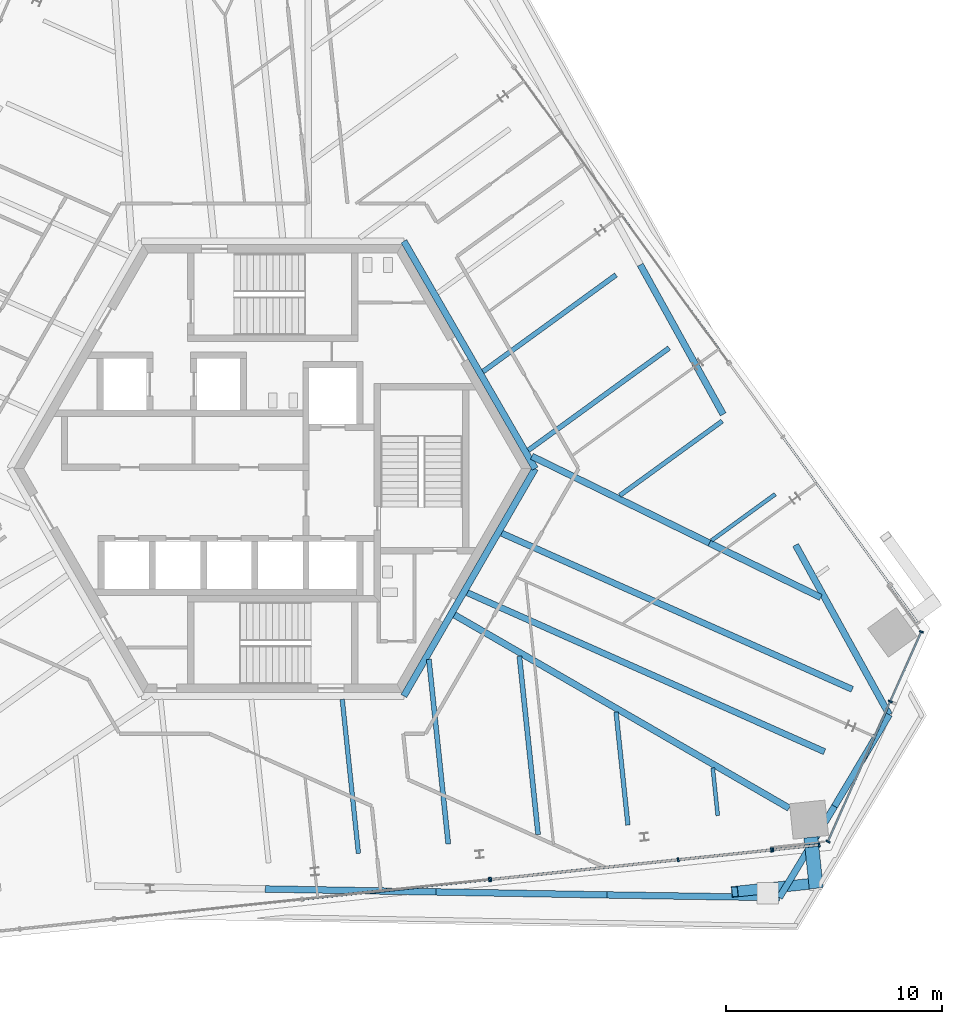
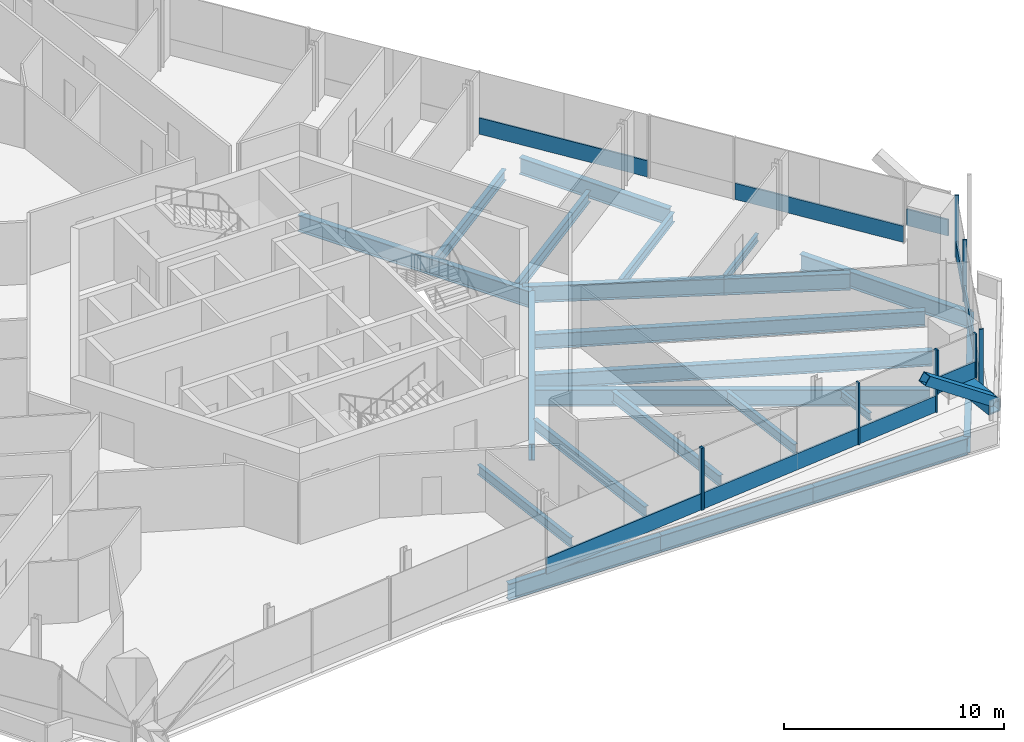
# One storey, part 6 of 21: 23 beams, 20 members, 7 elements without a shape of their own.
"""IFC4 building model written with IfcOpenShell, lengths in metres."""

import ifcopenshell
import ifcopenshell.guid

model = None  # the IFC model being written
_history = None  # IfcOwnerHistory: only IFC2X3 demands one
_inside = {}  # id of a spatial element -> (the spatial element, [elements in it])
_under = {}  # id of a project, library or spatial element -> (it, [spatial elements below it])
_declared = {}  # id of a project -> (the project, [libraries it declares])
_typed = {}  # id of a type object -> (the type object, [elements of that type])
_made_of = {}  # id of a material, layer set ... -> (it, [elements and type objects made of it])


def new_model(schema):
    """Start an empty IFC model of exactly this schema.

    Asked for "IFC4X3", IfcOpenShell would pick the latest addendum, in which some entities
    have other attributes; the version numbers below select the first issue.
    IFC2X3 requires an IfcOwnerHistory on every rooted entity: one is made here for all.
    """
    global model, _history
    if schema == "IFC4X3":
        model = ifcopenshell.file(schema_version=(4, 3, 0, 0))
    else:
        model = ifcopenshell.file(schema=schema)
    _inside.clear()
    _under.clear()
    _declared.clear()
    _typed.clear()
    _made_of.clear()
    _history = None
    if model.schema == "IFC2X3":
        org = make("IfcOrganization", Name="unknown")
        user = make(
            "IfcPersonAndOrganization",
            ThePerson=make("IfcPerson", FamilyName="unknown"),
            TheOrganization=org,
        )
        app = make(
            "IfcApplication",
            ApplicationDeveloper=org,
            Version="unknown",
            ApplicationFullName="unknown",
            ApplicationIdentifier="unknown",
        )
        _history = make(
            "IfcOwnerHistory",
            OwningUser=user,
            OwningApplication=app,
            ChangeAction="ADDED",
            CreationDate=0,
        )
    return model


def make(cls, **values):
    """One entity of the class cls with the attributes given. An attribute that is None is left unset."""
    return model.create_entity(
        cls, **{name: value for name, value in values.items() if value is not None}
    )


def rooted(cls, **values):
    """An entity with a GlobalId (a new one), such as an element, a storey or a relation."""
    return make(cls, GlobalId=ifcopenshell.guid.new(), OwnerHistory=_history, **values)


def si_unit(unit_type, name, prefix=None):
    """IfcSIUnit, for example si_unit("LENGTHUNIT", "METRE", prefix="MILLI")."""
    return make("IfcSIUnit", UnitType=unit_type, Prefix=prefix, Name=name)


def assignment(units):
    """IfcUnitAssignment: the units of a project."""
    return None if units is None else make("IfcUnitAssignment", Units=units)


def point(xyz):
    """IfcCartesianPoint."""
    return None if xyz is None else make("IfcCartesianPoint", Coordinates=xyz)


def direction(xyz):
    """IfcDirection."""
    return None if xyz is None else make("IfcDirection", DirectionRatios=xyz)


def frame(location, z_axis=None, x_axis=None):
    """IfcAxis2Placement3D, a coordinate frame: its origin and axes. An axis left out is left unset."""
    return make(
        "IfcAxis2Placement3D",
        Location=point(location),
        Axis=direction(z_axis),
        RefDirection=direction(x_axis),
    )


def frame_2d(location, x_axis=None):
    """IfcAxis2Placement2D, a coordinate frame in the plane: its origin and x axis."""
    return make(
        "IfcAxis2Placement2D", Location=point(location), RefDirection=direction(x_axis)
    )


def origin():
    """The frame at (0, 0, 0) with its axes left unset."""
    return frame((0.0, 0.0, 0.0))


def origin_2d():
    """The frame at (0, 0) in the plane with its x axis left unset."""
    return frame_2d((0.0, 0.0))


def place(relative_to, where):
    """IfcLocalPlacement: puts the frame where relative to a parent placement (None: the world)."""
    return make(
        "IfcLocalPlacement", PlacementRelTo=relative_to, RelativePlacement=where
    )


def context(
    kind, dimensions, precision=None, world=None, true_north=None, identifier=None
):
    """IfcGeometricRepresentationContext, for example the 3D "Model" context."""
    return make(
        "IfcGeometricRepresentationContext",
        ContextIdentifier=identifier,
        ContextType=kind,
        CoordinateSpaceDimension=dimensions,
        Precision=precision,
        WorldCoordinateSystem=world,
        TrueNorth=true_north,
    )


def subcontext(parent, identifier, kind, view, scale=None):
    """IfcGeometricRepresentationSubContext, for example "Body" below "Model"."""
    return make(
        "IfcGeometricRepresentationSubContext",
        ContextIdentifier=identifier,
        ContextType=kind,
        ParentContext=parent,
        TargetScale=scale,
        TargetView=view,
    )


def project(units=None, contexts=None):
    """IfcProject with its units and contexts."""
    return rooted(
        "IfcProject",
        Name="project",
        RepresentationContexts=contexts,
        UnitsInContext=assignment(units),
    )


def spatial(cls, under=None, at=None, **own):
    """A site, building, storey or space (cls), placed at a placement, below another one or the project."""
    s = rooted(cls, ObjectPlacement=at, **own)
    if under is not None:
        _under.setdefault(under.id(), (under, []))[1].append(s)
    return s


def profile(cls, at=None, kind="AREA", **sizes):
    """A parametric profile (cls). Its sizes go by their IFC names, for example OverallWidth=200.0."""
    return make(cls, ProfileType=kind, Position=at, **sizes)


def rectangle(**sizes):
    """IfcRectangleProfileDef."""
    return profile("IfcRectangleProfileDef", **sizes)


def hollow_rectangle(**sizes):
    """IfcRectangleHollowProfileDef."""
    return profile("IfcRectangleHollowProfileDef", **sizes)


def i_section(**sizes):
    """IfcIShapeProfileDef."""
    return profile("IfcIShapeProfileDef", **sizes)


def extrude(swept, where, along, depth):
    """IfcExtrudedAreaSolid: the profile swept, set in the frame where, extruded along a direction by depth."""
    return make(
        "IfcExtrudedAreaSolid",
        SweptArea=swept,
        Position=where,
        ExtrudedDirection=direction(along),
        Depth=depth,
    )


def shape(context_of_items, identifier, shape_type, items):
    """IfcShapeRepresentation: the items that make up one representation, for example the "Body"."""
    return make(
        "IfcShapeRepresentation",
        ContextOfItems=context_of_items,
        RepresentationIdentifier=identifier,
        RepresentationType=shape_type,
        Items=items,
    )


def source(mapping_origin, context_of_items, identifier, shape_type, items):
    """IfcRepresentationMap: a shape defined once, which mapped items show again and again."""
    return make(
        "IfcRepresentationMap",
        MappingOrigin=mapping_origin,
        MappedRepresentation=shape(context_of_items, identifier, shape_type, items),
    )


def transform(
    local_origin,
    x_axis=None,
    y_axis=None,
    z_axis=None,
    scale=None,
    scale2=None,
    scale3=None,
    uniform=True,
):
    """IfcCartesianTransformationOperator3D, or its non-uniform kind. x_axis, y_axis, z_axis: its Axis1, 2, 3."""
    if uniform:
        return make(
            "IfcCartesianTransformationOperator3D",
            Axis1=direction(x_axis),
            Axis2=direction(y_axis),
            LocalOrigin=point(local_origin),
            Scale=scale,
            Axis3=direction(z_axis),
        )
    return make(
        "IfcCartesianTransformationOperator3DnonUniform",
        Axis1=direction(x_axis),
        Axis2=direction(y_axis),
        LocalOrigin=point(local_origin),
        Scale=scale,
        Axis3=direction(z_axis),
        Scale2=scale2,
        Scale3=scale3,
    )


def mapped(mapping_source, mapping_target):
    """IfcMappedItem: shows the shape of a source again, moved by a transform."""
    return make(
        "IfcMappedItem", MappingSource=mapping_source, MappingTarget=mapping_target
    )


def material(Name=None, Category=None):
    """IfcMaterial."""
    return make("IfcMaterial", Name=Name, Category=Category)


def material_profile(
    of_material, cross_section, Name=None, Category=None, Priority=None
):
    """IfcMaterialProfile: a cross section and its material."""
    return make(
        "IfcMaterialProfile",
        Name=Name,
        Material=of_material,
        Profile=cross_section,
        Priority=Priority,
        Category=Category,
    )


def profile_set(profiles, Name=None, composite=None):
    """IfcMaterialProfileSet."""
    return make(
        "IfcMaterialProfileSet",
        Name=Name,
        MaterialProfiles=profiles,
        CompositeProfile=composite,
    )


def made_of(thing, what):
    """Note that an element or type object is made of a material, layer set ...; save() writes the relation."""
    if what is not None:
        _made_of.setdefault(what.id(), (what, []))[1].append(thing)
    return thing


def type_object(cls, material=None, **own):
    """A type object (cls), such as IfcWallType, which elements share."""
    return made_of(rooted(cls, **own), material)


def element(
    cls,
    number,
    at=None,
    inside=None,
    cuts=None,
    type_object=None,
    material=None,
    context=None,
    identifier="Body",
    shape_type=None,
    held_by="IfcProductDefinitionShape",
    body=None,
    shapes=None,
    **own,
):
    """One element of the class cls, such as IfcWall. Its Tag is "e" and its number.

    at: its placement. inside: the storey or other place that contains it. cuts: it is an
    opening in that element (IfcRelVoidsElement). A single representation is given by context,
    identifier, shape_type and body (its items); several are given by shapes. held_by: the class
    of the entity that holds the representations. save() writes the other relations.
    """
    e = rooted(cls, Tag="e%d" % number, ObjectPlacement=at, **own)
    if body is not None:
        shapes = [shape(context, identifier, shape_type, body)]
    if shapes is not None:
        e.Representation = make(held_by, Representations=shapes)
    if inside is not None:
        _inside.setdefault(inside.id(), (inside, []))[1].append(e)
    if cuts is not None:
        rooted(
            "IfcRelVoidsElement", RelatingBuildingElement=cuts, RelatedOpeningElement=e
        )
    if type_object is not None:
        _typed.setdefault(type_object.id(), (type_object, []))[1].append(e)
    return made_of(e, material)


def aggregate(whole, parts):
    """IfcRelAggregates: a whole, such as a stair, and the parts it consists of."""
    return rooted("IfcRelAggregates", RelatingObject=whole, RelatedObjects=parts)


def save(model, path):
    """Write the relations noted so far, then the file.

    IfcRelAggregates (storeys below a building ...), IfcRelContainedInSpatialStructure (elements
    in a storey), IfcRelDefinesByType, IfcRelAssociatesMaterial and IfcRelDeclares: one each for
    every whole, place, type object, material and project.
    """
    for whole, parts in _under.values():
        aggregate(whole, parts)
    for where, things in _inside.values():
        rooted(
            "IfcRelContainedInSpatialStructure",
            RelatedElements=things,
            RelatingStructure=where,
        )
    for kind, things in _typed.values():
        rooted("IfcRelDefinesByType", RelatedObjects=things, RelatingType=kind)
    for what, things in _made_of.values():
        rooted("IfcRelAssociatesMaterial", RelatedObjects=things, RelatingMaterial=what)
    for by, libraries in _declared.values():
        rooted("IfcRelDeclares", RelatingContext=by, RelatedDefinitions=libraries)
    model.write(path)


model = new_model("IFC4")

# Units and contexts
model_context = context("Model", 3, precision=1e-05, world=origin(), true_north=direction((0.0, 1.0)))
body_context = subcontext(model_context, "Body", "Model", "MODEL_VIEW")
ifc_project = project(units=[si_unit("LENGTHUNIT", "METRE"), si_unit("AREAUNIT", "SQUARE_METRE"), si_unit("VOLUMEUNIT", "CUBIC_METRE"), si_unit("PLANEANGLEUNIT", "RADIAN"), si_unit("MASSUNIT", "GRAM", prefix="KILO")], contexts=[model_context])

# Site, building, storey
site_placement = place(None, origin())
site = spatial("IfcSite", under=ifc_project, at=site_placement, CompositionType="ELEMENT")
building_placement = place(site_placement, origin())
building = spatial("IfcBuilding", under=site, at=building_placement, Name="Triune Harvest Tower", CompositionType="ELEMENT")
storey_placement = place(building_placement, frame((0.0, 0.0, 219.699951171875)))
storey = spatial("IfcBuildingStorey", under=building, at=storey_placement, Name="L57", CompositionType="ELEMENT", Elevation=219.699951171875)

# Beams
ifc_material_1 = material(Name="Steel ASTM A992 Gr 50", Category="steel")
ifc_material_profile_1 = material_profile(ifc_material_1, i_section(OverallWidth=0.3046875, OverallDepth=0.914306640625, WebThickness=0.0166015625, FlangeThickness=0.02587890625, at=origin_2d()), Name="W36x160")
ifc_profile_set_1 = profile_set([ifc_material_profile_1], Name="Steel ASTM A992 Gr 50")
beam_type_1 = type_object("IfcBeamType", Name="HG-3 Hip girder W36x160", PredefinedType="BEAM", material=ifc_profile_set_1)
beam_1_placement = place(storey_placement, frame((25.420654296875, -5.972900390625, -0.6171875), z_axis=(-0.898511390497, 0.438950203493, 0.0), x_axis=(-0.438950203493, -0.898511390497, 0.0)))
element("IfcBeam", 1, at=beam_1_placement, inside=storey, type_object=beam_type_1, Name="beam/L57/HG1", PredefinedType="BEAM", context=body_context, shape_type="SweptSolid", body=[
    extrude(i_section(OverallWidth=0.3046875, OverallDepth=0.914306640625, WebThickness=0.0166015625, FlangeThickness=0.02587890625, at=origin_2d()), origin(), (0.0, 0.0, 1.0), 5.744873046875),
])
ifc_material_2 = material(Name="Steel ASTM A992 Gr 50", Category="steel")
ifc_material_profile_2 = material_profile(ifc_material_2, i_section(OverallWidth=0.3046875, OverallDepth=0.914306640625, WebThickness=0.0166015625, FlangeThickness=0.02587890625, at=origin_2d()), Name="W36x160")
ifc_profile_set_2 = profile_set([ifc_material_profile_2], Name="Steel ASTM A992 Gr 50")
beam_type_2 = type_object("IfcBeamType", Name="SB-1 Spandrel beam W36x160", PredefinedType="SPANDREL", material=ifc_profile_set_2)
beam_2_placement = place(storey_placement, frame((28.59521484375, -11.408935546875, -0.6171875), z_axis=(-0.483244659855, 0.875485350375, 0.0), x_axis=(-0.875485350375, -0.483244659855, 0.0)))
element("IfcBeam", 2, at=beam_2_placement, inside=storey, type_object=beam_type_2, Name="beam/L57/WB1", PredefinedType="SPANDREL", context=body_context, shape_type="SweptSolid", body=[
    extrude(i_section(OverallWidth=0.3046875, OverallDepth=0.914306640625, WebThickness=0.0166015625, FlangeThickness=0.02587890625, at=origin_2d()), origin(), (0.0, 0.0, 1.0), 8.9873046875),
])

# Curtain wall, member
ifc_material_3 = material(Name="Aluminium bronze anodised", Category="aluminium")
curtain_wall_type_1 = type_object("IfcCurtainWallType", Name="CW-7 Tower stick curtain wall with insulated spandrel infill", PredefinedType="NOTDEFINED", material=ifc_material_3)
curtain_wall_1_placement = place(storey_placement, origin())
curtain_wall_1 = element("IfcCurtainWall", 3, at=curtain_wall_1_placement, inside=storey, type_object=curtain_wall_type_1, Name="CW-7 B6-F1 L57 run 1")
ifc_material_4 = material(Name="Aluminium bronze anodised", Category="aluminium")
ifc_material_profile_3 = material_profile(ifc_material_4, rectangle(XDim=0.090087890625, YDim=0.89990234375, at=origin_2d()), Name="TR-1 transom 90 x 900")
ifc_profile_set_3 = profile_set([ifc_material_profile_3], Name="Aluminium bronze anodised")
member_type_1 = type_object("IfcMemberType", Name="TR-1 transom 90 x 900", PredefinedType="USERDEFINED", material=ifc_profile_set_3)
member_1_placement = place(storey_placement, frame((29.906982421875, -7.13134765625, 1.43505859375), z_axis=(-0.58778803029, 0.809014976034, 0.0), x_axis=(-0.809014976034, -0.58778803029, 0.0)))
member_1 = element("IfcMember", 4, at=member_1_placement, type_object=member_type_1, Name="CW-7 transom B6-F1 1.1", ObjectType="TRANSOM", PredefinedType="USERDEFINED", context=body_context, shape_type="SweptSolid", body=[
    extrude(rectangle(XDim=0.090087890625, YDim=0.89990234375, at=origin_2d()), origin(), (0.0, 0.0, 1.0), 2.081298828125),
])
aggregate(curtain_wall_1, [member_1])

# Beams
ifc_material_5 = material(Name="Steel ASTM A992 Gr 50", Category="steel")
ifc_material_profile_4 = material_profile(ifc_material_5, i_section(OverallWidth=0.3046875, OverallDepth=0.914306640625, WebThickness=0.0166015625, FlangeThickness=0.02587890625, at=origin_2d()), Name="W36x160")
ifc_profile_set_4 = profile_set([ifc_material_profile_4], Name="Steel ASTM A992 Gr 50")
beam_type_3 = type_object("IfcBeamType", Name="CG-1 Core ring girder W36x160", PredefinedType="BEAM", material=ifc_profile_set_4)
shared_shape_1 = source(origin(), body_context, "Body", "SweptSolid", [
    extrude(i_section(OverallWidth=0.3046875, OverallDepth=0.914306640625, WebThickness=0.0166015625, FlangeThickness=0.02587890625, at=origin_2d()), origin(), (0.0, 0.0, 1.0), 12.176025390625),
])
for number, where, z_axis, x_axis, name in (
    (5, (12.176025390625, 0.0, -0.6171875), (-0.5000099932, 0.866019634131, 0.0), (-0.866019634131, -0.5000099932, 0.0), "beam/L57/CG1"),
    (6, (6.087890625, -10.544677734375, -0.6171875), (0.5000099932, 0.866019634131, 0.0), (-0.866019634131, 0.5000099932, 0.0), "beam/L57/CG6"),
):
    element("IfcBeam", number, at=place(storey_placement, frame(where, z_axis=z_axis, x_axis=x_axis)), inside=storey, type_object=beam_type_3, Name=name, PredefinedType="BEAM", context=body_context, shape_type="MappedRepresentation", body=[
        mapped(shared_shape_1, transform((0.0, 0.0, 0.0), scale=1.0)),
    ])
shared_shape_2 = source(origin(), body_context, "Body", "SweptSolid", [
    extrude(i_section(OverallWidth=0.3046875, OverallDepth=0.914306640625, WebThickness=0.0166015625, FlangeThickness=0.02587890625, at=origin_2d()), origin(), (0.0, 0.0, 1.0), 7.92724609375),
])
for number, where, z_axis, x_axis, name in (
    (7, (20.893798828125, 2.51806640625, -0.6171875), (-0.484790236765, 0.874630451298, 0.0), (-0.874630451298, -0.484790236765, 0.0), "beam/L57/WB2"),
    (8, (-0.34033203125, -19.491943359375, -0.6171875), (0.999847522428, -0.017462299252, 0.0), (0.017462299252, 0.999847522428, 0.0), "beam/L57/WB17"),
    (9, (7.585693359375, -19.63037109375, -0.6171875), (0.999847522428, -0.017462299252, 0.0), (0.017462299252, 0.999847522428, 0.0), "beam/L57/WB18"),
):
    element("IfcBeam", number, at=place(storey_placement, frame(where, z_axis=z_axis, x_axis=x_axis)), inside=storey, type_object=beam_type_2, Name=name, PredefinedType="SPANDREL", context=body_context, shape_type="MappedRepresentation", body=[
        mapped(shared_shape_2, transform((0.0, 0.0, 0.0), scale=1.0)),
    ])
shared_shape_3 = source(origin(), body_context, "Body", "SweptSolid", [
    extrude(i_section(OverallWidth=0.3046875, OverallDepth=0.914306640625, WebThickness=0.0166015625, FlangeThickness=0.02587890625, at=origin_2d()), origin(), (0.0, 0.0, 1.0), 7.9873046875),
])
beam_3_placement = place(storey_placement, frame((15.51171875, -19.768798828125, -0.6171875), z_axis=(0.999880859081, -0.015435920575, 0.0), x_axis=(0.015435920575, 0.999880859081, 0.0)))
element("IfcBeam", 10, at=beam_3_placement, inside=storey, type_object=beam_type_2, Name="beam/L57/WB19", PredefinedType="SPANDREL", context=body_context, shape_type="MappedRepresentation", body=[
    mapped(shared_shape_3, transform((0.0, 0.0, 0.0), scale=1.0)),
])
shared_shape_4 = source(origin(), body_context, "Body", "SweptSolid", [
    extrude(i_section(OverallWidth=0.3046875, OverallDepth=0.914306640625, WebThickness=0.0166015625, FlangeThickness=0.02587890625, at=origin_2d()), origin(), (0.0, 0.0, 1.0), 4.9482421875),
])
beam_4_placement = place(storey_placement, frame((26.060546875, -15.65869140625, -0.6171875), z_axis=(0.512237440549, 0.858843876674, 0.0), x_axis=(-0.858843876674, 0.512237440549, 0.0)))
element("IfcBeam", 11, at=beam_4_placement, inside=storey, type_object=beam_type_2, Name="beam/L57/WB21", PredefinedType="SPANDREL", context=body_context, shape_type="MappedRepresentation", body=[
    mapped(shared_shape_4, transform((0.0, 0.0, 0.0), scale=1.0)),
])
shared_shape_5 = source(origin(), body_context, "Body", "SweptSolid", [
    extrude(i_section(OverallWidth=0.3046875, OverallDepth=0.914306640625, WebThickness=0.0166015625, FlangeThickness=0.02587890625, at=origin_2d()), origin(), (0.0, 0.0, 1.0), 4.948486328125),
])
beam_5_placement = place(storey_placement, frame((23.498046875, -19.89208984375, -0.6171875), z_axis=(0.517829285017, 0.855483975057, 0.0), x_axis=(-0.855483975057, 0.517829285017, 0.0)))
element("IfcBeam", 12, at=beam_5_placement, inside=storey, type_object=beam_type_2, Name="beam/L57/WB20", PredefinedType="SPANDREL", context=body_context, shape_type="MappedRepresentation", body=[
    mapped(shared_shape_5, transform((0.0, 0.0, 0.0), scale=1.0)),
])
shared_shape_6 = source(origin(), body_context, "Body", "SweptSolid", [
    extrude(i_section(OverallWidth=0.3046875, OverallDepth=0.914306640625, WebThickness=0.0166015625, FlangeThickness=0.02587890625, at=origin_2d()), origin(), (0.0, 0.0, 1.0), 9.168212890625),
])
beam_6_placement = place(storey_placement, frame((20.2587890625, -3.451171875, -0.6171875), z_axis=(-0.898521846145, 0.438928800605, 0.0), x_axis=(-0.438928800605, -0.898521846145, 0.0)))
element("IfcBeam", 13, at=beam_6_placement, inside=storey, type_object=beam_type_1, Name="beam/L57/HG2", PredefinedType="BEAM", context=body_context, shape_type="MappedRepresentation", body=[
    mapped(shared_shape_6, transform((0.0, 0.0, 0.0), scale=1.0)),
])
shared_shape_7 = source(origin(), body_context, "Body", "SweptSolid", [
    extrude(i_section(OverallWidth=0.3046875, OverallDepth=0.914306640625, WebThickness=0.0166015625, FlangeThickness=0.02587890625, at=origin_2d()), origin(), (0.0, 0.0, 1.0), 17.92138671875),
])
beam_7_placement = place(storey_placement, frame((23.955078125, -15.7451171875, -0.6171875), z_axis=(-0.866023834451, 0.500002718155, 0.0), x_axis=(-0.500002718155, -0.866023834451, 0.0)))
element("IfcBeam", 14, at=beam_7_placement, inside=storey, type_object=beam_type_1, Name="beam/L57/HG10", PredefinedType="BEAM", context=body_context, shape_type="MappedRepresentation", body=[
    mapped(shared_shape_7, transform((0.0, 0.0, 0.0), scale=1.0)),
])
ifc_material_6 = material(Name="Steel ASTM A992 Gr 50", Category="steel")
ifc_material_profile_5 = material_profile(ifc_material_6, i_section(OverallWidth=0.180908203125, OverallDepth=0.41650390625, WebThickness=0.010986328125, FlangeThickness=0.01806640625, at=origin_2d()), Name="W16x57")
ifc_profile_set_5 = profile_set([ifc_material_profile_5], Name="Steel ASTM A992 Gr 50")
beam_type_4 = type_object("IfcBeamType", Name="JT-1 Floor joist W16x57", PredefinedType="JOIST", material=ifc_profile_set_5)
shared_shape_8 = source(origin(), body_context, "Body", "SweptSolid", [
    extrude(i_section(OverallWidth=0.180908203125, OverallDepth=0.41650390625, WebThickness=0.010986328125, FlangeThickness=0.01806640625, at=origin_2d()), origin(), (0.0, 0.0, 1.0), 3.650146484375),
])
beam_8_placement = place(storey_placement, frame((23.3115234375, -1.184814453125, -0.3681640625), z_axis=(-0.809025213327, -0.587773939709, 0.0), x_axis=(0.587773939709, -0.809025213327, 0.0)))
element("IfcBeam", 15, at=beam_8_placement, inside=storey, type_object=beam_type_4, Name="beam/L57/JT2", PredefinedType="JOIST", context=body_context, shape_type="MappedRepresentation", body=[
    mapped(shared_shape_8, transform((0.0, 0.0, 0.0), scale=1.0)),
])
ifc_material_7 = material(Name="Steel ASTM A992 Gr 50", Category="steel")
ifc_material_profile_6 = material_profile(ifc_material_7, i_section(OverallWidth=0.2099609375, OverallDepth=0.535888671875, WebThickness=0.010986328125, FlangeThickness=0.017333984375, at=origin_2d()), Name="W21x68")
ifc_profile_set_6 = profile_set([ifc_material_profile_6], Name="Steel ASTM A992 Gr 50")
beam_type_5 = type_object("IfcBeamType", Name="JT-2 Floor joist W21x68", PredefinedType="JOIST", material=ifc_profile_set_6)
shared_shape_9 = source(origin(), body_context, "Body", "SweptSolid", [
    extrude(i_section(OverallWidth=0.2099609375, OverallDepth=0.535888671875, WebThickness=0.010986328125, FlangeThickness=0.017333984375, at=origin_2d()), origin(), (0.0, 0.0, 1.0), 5.873779296875),
])
beam_9_placement = place(storey_placement, frame((20.849365234375, 2.203857421875, -0.427978515625), z_axis=(-0.809005604968, -0.587800928147, 0.0), x_axis=(0.587800928147, -0.809005604968, 0.0)))
element("IfcBeam", 16, at=beam_9_placement, inside=storey, type_object=beam_type_5, Name="beam/L57/JT3", PredefinedType="JOIST", context=body_context, shape_type="MappedRepresentation", body=[
    mapped(shared_shape_9, transform((0.0, 0.0, 0.0), scale=1.0)),
])
ifc_material_8 = material(Name="Steel ASTM A992 Gr 50", Category="steel")
ifc_material_profile_7 = material_profile(ifc_material_8, i_section(OverallWidth=0.22900390625, OverallDepth=0.612060546875, WebThickness=0.011962890625, FlangeThickness=0.01953125, at=origin_2d()), Name="W24x84")
ifc_profile_set_7 = profile_set([ifc_material_profile_7], Name="Steel ASTM A992 Gr 50")
beam_type_6 = type_object("IfcBeamType", Name="JT-3 Floor joist W24x84", PredefinedType="JOIST", material=ifc_profile_set_7)
shared_shape_10 = source(origin(), body_context, "Body", "SweptSolid", [
    extrude(i_section(OverallWidth=0.22900390625, OverallDepth=0.612060546875, WebThickness=0.011962890625, FlangeThickness=0.01953125, at=origin_2d()), origin(), (0.0, 0.0, 1.0), 8.0673828125),
])
beam_10_placement = place(storey_placement, frame((18.38720703125, 5.5927734375, -0.466064453125), z_axis=(-0.809012121653, -0.58779195896, 0.0), x_axis=(0.58779195896, -0.809012121653, 0.0)))
element("IfcBeam", 17, at=beam_10_placement, inside=storey, type_object=beam_type_6, Name="beam/L57/JT4", PredefinedType="JOIST", context=body_context, shape_type="MappedRepresentation", body=[
    mapped(shared_shape_10, transform((0.0, 0.0, 0.0), scale=1.0)),
])
shared_shape_11 = source(origin(), body_context, "Body", "SweptSolid", [
    extrude(i_section(OverallWidth=0.22900390625, OverallDepth=0.612060546875, WebThickness=0.011962890625, FlangeThickness=0.01953125, at=origin_2d()), origin(), (0.0, 0.0, 1.0), 7.626953125),
])
beam_11_placement = place(storey_placement, frame((15.92529296875, 8.9814453125, -0.466064453125), z_axis=(-0.809026673071, -0.587771930479, 0.0), x_axis=(0.587771930479, -0.809026673071, 0.0)))
element("IfcBeam", 18, at=beam_11_placement, inside=storey, type_object=beam_type_6, Name="beam/L57/JT5", PredefinedType="JOIST", context=body_context, shape_type="MappedRepresentation", body=[
    mapped(shared_shape_11, transform((0.0, 0.0, 0.0), scale=1.0)),
])
shared_shape_12 = source(origin(), body_context, "Body", "SweptSolid", [
    extrude(i_section(OverallWidth=0.2099609375, OverallDepth=0.535888671875, WebThickness=0.010986328125, FlangeThickness=0.017333984375, at=origin_2d()), origin(), (0.0, 0.0, 1.0), 7.186767578125),
])
beam_12_placement = place(storey_placement, frame((3.9814453125, -17.844482421875, -0.427978515625), z_axis=(-0.104527401808, 0.994522006932, 0.0), x_axis=(-0.994522006932, -0.104527401808, 0.0)))
element("IfcBeam", 19, at=beam_12_placement, inside=storey, type_object=beam_type_5, Name="beam/L57/JT30", PredefinedType="JOIST", context=body_context, shape_type="MappedRepresentation", body=[
    mapped(shared_shape_12, transform((0.0, 0.0, 0.0), scale=1.0)),
])
shared_shape_13 = source(origin(), body_context, "Body", "SweptSolid", [
    extrude(i_section(OverallWidth=0.22900390625, OverallDepth=0.612060546875, WebThickness=0.011962890625, FlangeThickness=0.01953125, at=origin_2d()), origin(), (0.0, 0.0, 1.0), 8.612060546875),
])
beam_13_placement = place(storey_placement, frame((8.147216796875, -17.40673828125, -0.466064453125), z_axis=(-0.104520983036, 0.994522681544, 0.0), x_axis=(-0.994522681544, -0.104520983036, 0.0)))
element("IfcBeam", 20, at=beam_13_placement, inside=storey, type_object=beam_type_6, Name="beam/L57/JT31", PredefinedType="JOIST", context=body_context, shape_type="MappedRepresentation", body=[
    mapped(shared_shape_13, transform((0.0, 0.0, 0.0), scale=1.0)),
])
shared_shape_14 = source(origin(), body_context, "Body", "SweptSolid", [
    extrude(i_section(OverallWidth=0.22900390625, OverallDepth=0.612060546875, WebThickness=0.011962890625, FlangeThickness=0.01953125, at=origin_2d()), origin(), (0.0, 0.0, 1.0), 8.316650390625),
])
beam_14_placement = place(storey_placement, frame((12.313232421875, -16.96875, -0.466064453125), z_axis=(-0.104536555889, 0.994521044766, 0.0), x_axis=(-0.994521044766, -0.104536555889, 0.0)))
element("IfcBeam", 21, at=beam_14_placement, inside=storey, type_object=beam_type_6, Name="beam/L57/JT32", PredefinedType="JOIST", context=body_context, shape_type="MappedRepresentation", body=[
    mapped(shared_shape_14, transform((0.0, 0.0, 0.0), scale=1.0)),
])
shared_shape_15 = source(origin(), body_context, "Body", "SweptSolid", [
    extrude(i_section(OverallWidth=0.180908203125, OverallDepth=0.41650390625, WebThickness=0.010986328125, FlangeThickness=0.01806640625, at=origin_2d()), origin(), (0.0, 0.0, 1.0), 2.22998046875),
])
beam_15_placement = place(storey_placement, frame((20.644775390625, -16.093017578125, -0.3681640625), z_axis=(-0.104553707169, 0.994519241803, 0.0), x_axis=(-0.994519241803, -0.104553707169, 0.0)))
element("IfcBeam", 22, at=beam_15_placement, inside=storey, type_object=beam_type_4, Name="beam/L57/JT34", PredefinedType="JOIST", context=body_context, shape_type="MappedRepresentation", body=[
    mapped(shared_shape_15, transform((0.0, 0.0, 0.0), scale=1.0)),
])
ifc_material_9 = material(Name="Steel ASTM A992 Gr 50", Category="steel")
ifc_material_profile_8 = material_profile(ifc_material_9, i_section(OverallWidth=0.2919921875, OverallDepth=0.8408203125, WebThickness=0.0146484375, FlangeThickness=0.021728515625, at=origin_2d()), Name="W33x130")
ifc_profile_set_8 = profile_set([ifc_material_profile_8], Name="Steel ASTM A992 Gr 50")
beam_type_7 = type_object("IfcBeamType", Name="JT-6 Floor joist W33x130", PredefinedType="JOIST", material=ifc_profile_set_8)
shared_shape_16 = source(origin(), body_context, "Body", "SweptSolid", [
    extrude(i_section(OverallWidth=0.2919921875, OverallDepth=0.8408203125, WebThickness=0.0146484375, FlangeThickness=0.021728515625, at=origin_2d()), origin(), (0.0, 0.0, 1.0), 18.13134765625),
])
beam_16_placement = place(storey_placement, frame((25.593505859375, -13.128662109375, -0.580322265625), z_axis=(-0.913543156894, 0.406741810602, 0.0), x_axis=(-0.406741810602, -0.913543156894, 0.0)))
element("IfcBeam", 23, at=beam_16_placement, inside=storey, type_object=beam_type_7, Name="beam/L57/JT35", PredefinedType="JOIST", context=body_context, shape_type="MappedRepresentation", body=[
    mapped(shared_shape_16, transform((0.0, 0.0, 0.0), scale=1.0)),
])
shared_shape_17 = source(origin(), body_context, "Body", "SweptSolid", [
    extrude(i_section(OverallWidth=0.2919921875, OverallDepth=0.8408203125, WebThickness=0.0146484375, FlangeThickness=0.021728515625, at=origin_2d()), origin(), (0.0, 0.0, 1.0), 17.79833984375),
])
beam_17_placement = place(storey_placement, frame((26.882080078125, -10.23486328125, -0.580322265625), z_axis=(-0.913544362893, 0.406739101916, 0.0), x_axis=(-0.406739101916, -0.913544362893, 0.0)))
element("IfcBeam", 24, at=beam_17_placement, inside=storey, type_object=beam_type_7, Name="beam/L57/JT36", PredefinedType="JOIST", context=body_context, shape_type="MappedRepresentation", body=[
    mapped(shared_shape_17, transform((0.0, 0.0, 0.0), scale=1.0)),
])
shared_shape_18 = source(origin(), body_context, "Body", "SweptSolid", [
    extrude(i_section(OverallWidth=0.2099609375, OverallDepth=0.535888671875, WebThickness=0.010986328125, FlangeThickness=0.017333984375, at=origin_2d()), origin(), (0.0, 0.0, 1.0), 5.273193359375),
])
beam_18_placement = place(storey_placement, frame((16.47900390625, -16.531005859375, -0.427978515625), z_axis=(-0.104540182409, 0.994520663567, 0.0), x_axis=(-0.994520663567, -0.104540182409, 0.0)))
element("IfcBeam", 25, at=beam_18_placement, inside=storey, type_object=beam_type_5, Name="beam/L57/JT33", PredefinedType="JOIST", context=body_context, shape_type="MappedRepresentation", body=[
    mapped(shared_shape_18, transform((0.0, 0.0, 0.0), scale=1.0)),
])

# Members
ifc_material_10 = material(Name="Steel ASTM A572 Gr 50", Category="steel")
ifc_material_profile_9 = material_profile(ifc_material_10, hollow_rectangle(XDim=0.5, YDim=0.5, WallThickness=0.030029296875, at=origin_2d()), Name="Box 500x500x30")
ifc_profile_set_9 = profile_set([ifc_material_profile_9], Name="Steel ASTM A572 Gr 50")
member_type_2 = type_object("IfcMemberType", Name="BR-3 Brace Box 500x500x30", PredefinedType="BRACE", material=ifc_profile_set_9)
shared_shape_19 = source(origin(), body_context, "Body", "SweptSolid", [
    extrude(hollow_rectangle(XDim=0.5, YDim=0.5, WallThickness=0.030029296875, at=origin_2d()), origin(), (0.0, 0.0, 1.0), 4.645263671875),
])
member_2_placement = place(storey_placement, frame((25.18603515625, -19.22607421875, 0.89013671875), z_axis=(-0.807749499844, -0.084879656598, 0.583383398287), x_axis=(0.104506254821, -0.994524229319, 0.0)))
element("IfcMember", 26, at=member_2_placement, inside=storey, type_object=member_type_2, Name="brace/B6-F5/d2/1", PredefinedType="BRACE", context=body_context, shape_type="MappedRepresentation", body=[
    mapped(shared_shape_19, transform((0.0, 0.0, 0.0), scale=1.0)),
])
ifc_material_11 = material(Name="Steel ASTM A572 Gr 50", Category="steel")
ifc_material_profile_10 = material_profile(ifc_material_11, hollow_rectangle(XDim=0.64990234375, YDim=0.64990234375, WallThickness=0.070068359375, at=origin_2d()), Name="Box 650x650x70")
ifc_profile_set_10 = profile_set([ifc_material_profile_10], Name="Steel ASTM A572 Gr 50")
member_type_3 = type_object("IfcMemberType", Name="BS-1 Brace stub Box 650x650x70", PredefinedType="STRUT", material=ifc_profile_set_10)
shared_shape_20 = source(origin(), body_context, "Body", "SweptSolid", [
    extrude(hollow_rectangle(XDim=0.64990234375, YDim=0.64990234375, WallThickness=0.070068359375, at=origin_2d()), origin(), (0.0, 0.0, 1.0), 2.375244140625),
])
member_3_placement = place(storey_placement, frame((24.962158203125, -17.097412109375, 0.60009765625), z_axis=(0.104529624173, -0.994521773352, 0.0), x_axis=(0.994521773352, 0.104529624173, 0.0)))
element("IfcMember", 27, at=member_3_placement, inside=storey, type_object=member_type_3, Name="brace/B6-F5/stub3", PredefinedType="STRUT", context=body_context, shape_type="MappedRepresentation", body=[
    mapped(shared_shape_20, transform((0.0, 0.0, 0.0), scale=1.0)),
])

# Curtain wall, members
curtain_wall_2_placement = place(storey_placement, origin())
curtain_wall_2 = element("IfcCurtainWall", 28, at=curtain_wall_2_placement, inside=storey, type_object=curtain_wall_type_1, Name="CW-7 B6-F5 L57 run 201")
ifc_material_12 = material(Name="Aluminium bronze anodised", Category="aluminium")
ifc_material_profile_11 = material_profile(ifc_material_12, rectangle(XDim=0.199951171875, YDim=0.074951171875, at=origin_2d()), Name="MU-1 mullion 75 x 200")
ifc_profile_set_11 = profile_set([ifc_material_profile_11], Name="Aluminium bronze anodised")
member_type_4 = type_object("IfcMemberType", Name="MU-1 mullion 75 x 200", PredefinedType="MULLION", material=ifc_profile_set_11)
shared_shape_21 = source(origin(), body_context, "Body", "SweptSolid", [
    extrude(rectangle(XDim=0.199951171875, YDim=0.074951171875, at=origin_2d()), origin(), (0.0, 0.0, 1.0), 2.454833984375),
])
member_4_placement = place(storey_placement, frame((23.203857421875, -17.6748046875, 0.985107421875), z_axis=(0.0, 0.0, 1.0), x_axis=(-0.104547154435, 0.99451993067, 0.0)))
member_4 = element("IfcMember", 29, at=member_4_placement, type_object=member_type_4, Name="CW-7 mullion B6-F5 201.1", PredefinedType="MULLION", context=body_context, shape_type="MappedRepresentation", body=[
    mapped(shared_shape_21, transform((0.0, 0.0, 0.0), scale=1.0)),
])
member_5_placement = place(storey_placement, frame((25.3486328125, -17.44921875, 0.985107421875), z_axis=(0.0, 0.0, 1.0), x_axis=(-0.104547154435, 0.99451993067, 0.0)))
member_5 = element("IfcMember", 30, at=member_5_placement, type_object=member_type_4, Name="CW-7 mullion B6-F5 201.2", PredefinedType="MULLION", context=body_context, shape_type="MappedRepresentation", body=[
    mapped(shared_shape_21, transform((0.0, 0.0, 0.0), scale=1.0)),
])

# Curtain wall, member
ifc_material_13 = material(Name="Aluminium bronze anodised", Category="aluminium")
curtain_wall_type_2 = type_object("IfcCurtainWallType", Name="CW-1 Tower stick curtain wall", PredefinedType="NOTDEFINED", material=ifc_material_13)
curtain_wall_3_placement = place(storey_placement, origin())
curtain_wall_3 = element("IfcCurtainWall", 31, at=curtain_wall_3_placement, inside=storey, type_object=curtain_wall_type_2, Name="CW-1 B6-F5 L57 run 1101")
shared_shape_22 = source(origin(), body_context, "Body", "SweptSolid", [
    extrude(rectangle(XDim=0.199951171875, YDim=0.074951171875, at=origin_2d()), origin(), (0.0, 0.0, 1.0), 3.43994140625),
])
member_6_placement = place(storey_placement, frame((10.0478515625, -19.0576171875, 0.0), z_axis=(0.0, 0.0, 1.0), x_axis=(-0.104533112504, 0.994521406703, 0.0)))
member_6 = element("IfcMember", 32, at=member_6_placement, type_object=member_type_4, Name="CW-1 mullion B6-F5 1101.5", PredefinedType="MULLION", context=body_context, shape_type="MappedRepresentation", body=[
    mapped(shared_shape_22, transform((0.0, 0.0, 0.0), scale=1.0)),
])

# Curtain wall, members
curtain_wall_4_placement = place(storey_placement, origin())
curtain_wall_4 = element("IfcCurtainWall", 33, at=curtain_wall_4_placement, inside=storey, type_object=curtain_wall_type_1, Name="CW-7 B6-F5 L57 run 2101")
member_7_placement = place(storey_placement, frame((10.122314453125, -19.049560546875, 0.0), z_axis=(0.0, 0.0, 1.0), x_axis=(-0.10452688016, 0.994522061758, 0.0)))
member_7 = element("IfcMember", 34, at=member_7_placement, type_object=member_type_4, Name="CW-7 mullion B6-F5 2101.1", PredefinedType="MULLION", context=body_context, shape_type="MappedRepresentation", body=[
    mapped(shared_shape_22, transform((0.0, 0.0, 0.0), scale=1.0)),
])
member_8_placement = place(storey_placement, frame((18.80615234375, -18.136962890625, 0.0), z_axis=(0.0, 0.0, 1.0), x_axis=(-0.10452688016, 0.994522061758, 0.0)))
member_8 = element("IfcMember", 35, at=member_8_placement, type_object=member_type_4, Name="CW-7 mullion B6-F5 2101.3", PredefinedType="MULLION", context=body_context, shape_type="MappedRepresentation", body=[
    mapped(shared_shape_22, transform((0.0, 0.0, 0.0), scale=1.0)),
])
member_9_placement = place(storey_placement, frame((23.12939453125, -17.6826171875, 0.0), z_axis=(0.0, 0.0, 1.0), x_axis=(-0.10452688016, 0.994522061758, 0.0)))
member_9 = element("IfcMember", 36, at=member_9_placement, type_object=member_type_4, Name="CW-7 mullion B6-F5 2101.4", PredefinedType="MULLION", context=body_context, shape_type="MappedRepresentation", body=[
    mapped(shared_shape_22, transform((0.0, 0.0, 0.0), scale=1.0)),
])

curtain_wall_5_placement = place(storey_placement, origin())
curtain_wall_5 = element("IfcCurtainWall", 37, at=curtain_wall_5_placement, inside=storey, type_object=curtain_wall_type_2, Name="CW-1 B6-F6 L57 run 1")
member_10_placement = place(storey_placement, frame((25.7529296875, -17.2958984375, 0.0), z_axis=(0.0, 0.0, 1.0), x_axis=(-0.913542531121, 0.406743216086, 0.0)))
member_10 = element("IfcMember", 38, at=member_10_placement, type_object=member_type_4, Name="CW-1 mullion B6-F6 1.1", PredefinedType="MULLION", context=body_context, shape_type="MappedRepresentation", body=[
    mapped(shared_shape_22, transform((0.0, 0.0, 0.0), scale=1.0)),
])
member_11_placement = place(storey_placement, frame((28.646240234375, -10.797119140625, 0.0), z_axis=(0.0, 0.0, 1.0), x_axis=(-0.913542531121, 0.406743216086, 0.0)))
member_11 = element("IfcMember", 39, at=member_11_placement, type_object=member_type_4, Name="CW-1 mullion B6-F6 1.3", PredefinedType="MULLION", context=body_context, shape_type="MappedRepresentation", body=[
    mapped(shared_shape_22, transform((0.0, 0.0, 0.0), scale=1.0)),
])
member_12_placement = place(storey_placement, frame((30.08544921875, -7.56494140625, 0.0), z_axis=(0.0, 0.0, 1.0), x_axis=(-0.913542531121, 0.406743216086, 0.0)))
member_12 = element("IfcMember", 40, at=member_12_placement, type_object=member_type_4, Name="CW-1 mullion B6-F6 1.4", PredefinedType="MULLION", context=body_context, shape_type="MappedRepresentation", body=[
    mapped(shared_shape_22, transform((0.0, 0.0, 0.0), scale=1.0)),
])

# Curtain wall, member
curtain_wall_6_placement = place(storey_placement, origin())
curtain_wall_6 = element("IfcCurtainWall", 41, at=curtain_wall_6_placement, inside=storey, type_object=curtain_wall_type_1, Name="CW-7 B6-F1 L57 run 101")
shared_shape_23 = source(origin(), body_context, "Body", "SweptSolid", [
    extrude(rectangle(XDim=0.090087890625, YDim=0.89990234375, at=origin_2d()), origin(), (0.0, 0.0, 1.0), 8.3642578125),
])
member_13_placement = place(storey_placement, frame((28.59521484375, -5.326171875, 0.449951171875), z_axis=(-0.587774186099, 0.80902503432, 0.0), x_axis=(-0.80902503432, -0.587774186099, 0.0)))
member_13 = element("IfcMember", 42, at=member_13_placement, type_object=member_type_1, Name="CW-7 transom B6-F1 101.1", ObjectType="TRANSOM", PredefinedType="USERDEFINED", context=body_context, shape_type="MappedRepresentation", body=[
    mapped(shared_shape_23, transform((0.0, 0.0, 0.0), scale=1.0)),
])
aggregate(curtain_wall_6, [member_13])

curtain_wall_7_placement = place(storey_placement, origin())
curtain_wall_7 = element("IfcCurtainWall", 43, at=curtain_wall_7_placement, inside=storey, type_object=curtain_wall_type_2, Name="CW-1 B6-F1 L57 run 1101")
member_14_placement = place(storey_placement, frame((21.12158203125, 4.960693359375, 0.449951171875), z_axis=(-0.587807170458, 0.809001069442, 0.0), x_axis=(-0.809001069442, -0.587807170458, 0.0)))
member_14 = element("IfcMember", 44, at=member_14_placement, type_object=member_type_1, Name="CW-1 transom B6-F1 1101.1", ObjectType="TRANSOM", PredefinedType="USERDEFINED", context=body_context, shape_type="MappedRepresentation", body=[
    mapped(shared_shape_23, transform((0.0, 0.0, 0.0), scale=1.0)),
])
aggregate(curtain_wall_7, [member_14])

# Member
shared_shape_24 = source(origin(), body_context, "Body", "SweptSolid", [
    extrude(rectangle(XDim=0.090087890625, YDim=0.89990234375, at=origin_2d()), origin(), (0.0, 0.0, 1.0), 2.08154296875),
])
member_15_placement = place(storey_placement, frame((23.2412109375, -17.6708984375, 1.43505859375), z_axis=(0.994511877961, 0.10462372864, 0.0), x_axis=(-0.10462372864, 0.994511877961, 0.0)))
member_15 = element("IfcMember", 45, at=member_15_placement, type_object=member_type_1, Name="CW-7 transom B6-F5 201.1", ObjectType="TRANSOM", PredefinedType="USERDEFINED", context=body_context, shape_type="MappedRepresentation", body=[
    mapped(shared_shape_24, transform((0.0, 0.0, 0.0), scale=1.0)),
])

aggregate(curtain_wall_2, [member_4, member_5, member_15])

shared_shape_25 = source(origin(), body_context, "Body", "SweptSolid", [
    extrude(rectangle(XDim=0.090087890625, YDim=0.89990234375, at=origin_2d()), origin(), (0.0, 0.0, 1.0), 7.038818359375),
])
member_16_placement = place(storey_placement, frame((25.76806640625, -17.261474609375, 0.449951171875), z_axis=(0.406753052694, 0.913538151433, 0.0), x_axis=(-0.913538151433, 0.406753052694, 0.0)))
member_16 = element("IfcMember", 46, at=member_16_placement, type_object=member_type_1, Name="CW-1 transom B6-F6 1.1", ObjectType="TRANSOM", PredefinedType="USERDEFINED", context=body_context, shape_type="MappedRepresentation", body=[
    mapped(shared_shape_25, transform((0.0, 0.0, 0.0), scale=1.0)),
])

shared_shape_26 = source(origin(), body_context, "Body", "SweptSolid", [
    extrude(rectangle(XDim=0.090087890625, YDim=0.89990234375, at=origin_2d()), origin(), (0.0, 0.0, 1.0), 8.656494140625),
])
member_17_placement = place(storey_placement, frame((1.4013671875, -19.96630859375, 0.449951171875), z_axis=(0.994522747477, 0.104520355675, 0.0), x_axis=(-0.104520355675, 0.994522747477, 0.0)))
member_17 = element("IfcMember", 47, at=member_17_placement, type_object=member_type_1, Name="CW-1 transom B6-F5 1101.2", ObjectType="TRANSOM", PredefinedType="USERDEFINED", context=body_context, shape_type="MappedRepresentation", body=[
    mapped(shared_shape_26, transform((0.0, 0.0, 0.0), scale=1.0)),
])

aggregate(curtain_wall_3, [member_6, member_17])

member_18_placement = place(storey_placement, frame((10.15966796875, -19.045654296875, 0.449951171875), z_axis=(0.994522747477, 0.104520355675, 0.0), x_axis=(-0.104520355675, 0.994522747477, 0.0)))
member_18 = element("IfcMember", 48, at=member_18_placement, type_object=member_type_1, Name="CW-7 transom B6-F5 2101.1", ObjectType="TRANSOM", PredefinedType="USERDEFINED", context=body_context, shape_type="MappedRepresentation", body=[
    mapped(shared_shape_26, transform((0.0, 0.0, 0.0), scale=1.0)),
])

shared_shape_27 = source(origin(), body_context, "Body", "SweptSolid", [
    extrude(rectangle(XDim=0.090087890625, YDim=0.89990234375, at=origin_2d()), origin(), (0.0, 0.0, 1.0), 4.27197265625),
])
member_19_placement = place(storey_placement, frame((18.843505859375, -18.133056640625, 0.449951171875), z_axis=(0.994522037371, 0.104527112191, 0.0), x_axis=(-0.104527112191, 0.994522037371, 0.0)))
member_19 = element("IfcMember", 49, at=member_19_placement, type_object=member_type_1, Name="CW-7 transom B6-F5 2101.2", ObjectType="TRANSOM", PredefinedType="USERDEFINED", context=body_context, shape_type="MappedRepresentation", body=[
    mapped(shared_shape_27, transform((0.0, 0.0, 0.0), scale=1.0)),
])

aggregate(curtain_wall_4, [member_7, member_8, member_9, member_18, member_19])

shared_shape_28 = source(origin(), body_context, "Body", "SweptSolid", [
    extrude(rectangle(XDim=0.090087890625, YDim=0.89990234375, at=origin_2d()), origin(), (0.0, 0.0, 1.0), 3.463134765625),
])
member_20_placement = place(storey_placement, frame((28.66162109375, -10.762939453125, 0.449951171875), z_axis=(0.406694368517, 0.913564278317, 0.0), x_axis=(-0.913564278317, 0.406694368517, 0.0)))
member_20 = element("IfcMember", 50, at=member_20_placement, type_object=member_type_1, Name="CW-1 transom B6-F6 1.2", ObjectType="TRANSOM", PredefinedType="USERDEFINED", context=body_context, shape_type="MappedRepresentation", body=[
    mapped(shared_shape_28, transform((0.0, 0.0, 0.0), scale=1.0)),
])

aggregate(curtain_wall_5, [member_10, member_11, member_12, member_16, member_20])

save(model, "model.ifc")
